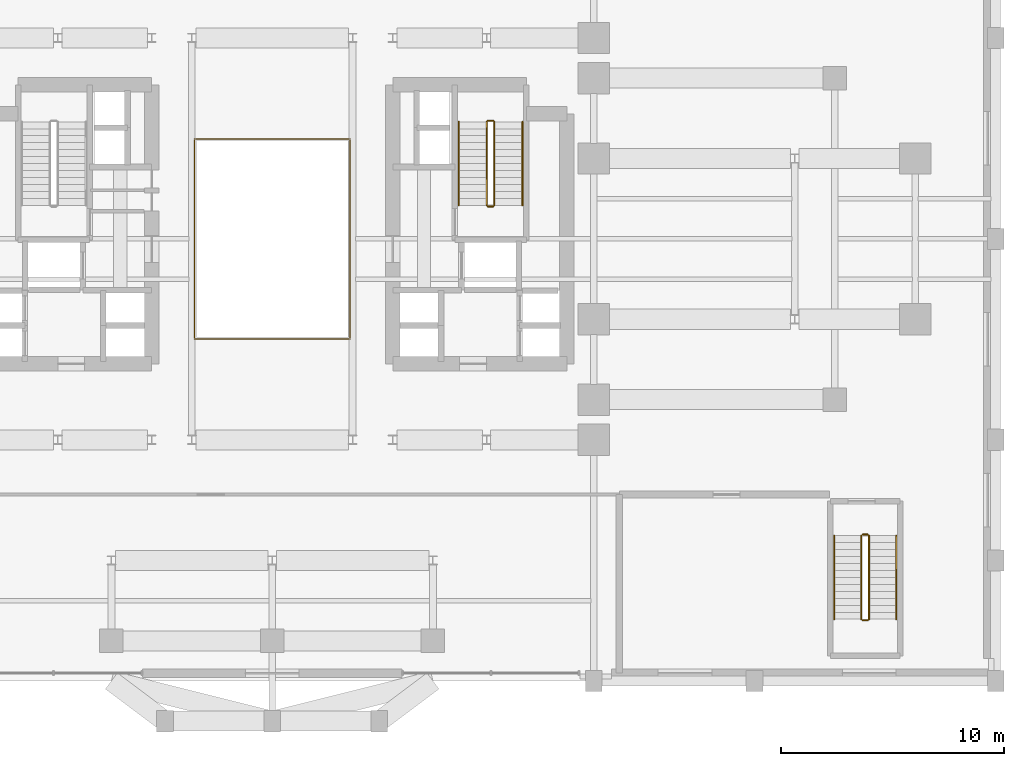
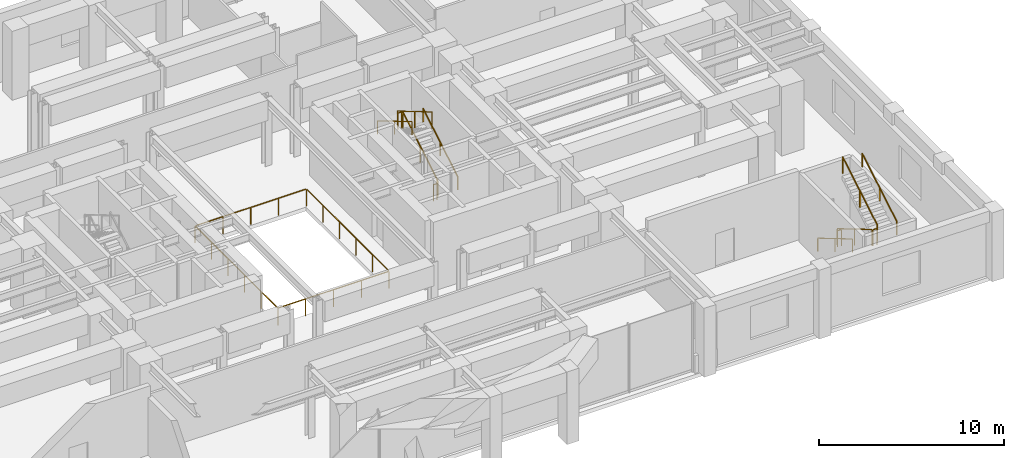
# One storey, part 14 of 14: 13 railings.
"""IFC4 building model written with IfcOpenShell, lengths in metres."""

from ifc_helpers import new_model, si_unit, direction, frame, origin, origin_2d, place, context, subcontext, project, spatial, rectangle, extrude, material, type_object, element, save


model = new_model("IFC4")

# Units and contexts
model_context = context("Model", 3, precision=1e-05, world=origin(), true_north=direction((0.0, 1.0)))
body_context = subcontext(model_context, "Body", "Model", "MODEL_VIEW")
ifc_project = project(units=[si_unit("LENGTHUNIT", "METRE"), si_unit("AREAUNIT", "SQUARE_METRE"), si_unit("VOLUMEUNIT", "CUBIC_METRE"), si_unit("PLANEANGLEUNIT", "RADIAN"), si_unit("MASSUNIT", "GRAM", prefix="KILO")], contexts=[model_context])

# Site, building, storey
site_placement = place(None, origin())
site = spatial("IfcSite", under=ifc_project, at=site_placement, CompositionType="ELEMENT")
building_placement = place(site_placement, origin())
building = spatial("IfcBuilding", under=site, at=building_placement, Name="Keilestroom Media Tower", CompositionType="ELEMENT")
storey_placement = place(building_placement, frame((0.0, 0.0, 15.60009765625)))
storey = spatial("IfcBuildingStorey", under=building, at=storey_placement, Name="L03", CompositionType="ELEMENT", Elevation=15.60009765625)

# Railings
ifc_material_1 = material(Name="Laminated Safety Glass & Bronze Steel", Category="steel")
railing_type_1 = type_object("IfcRailingType", Name="Atrium-Void-Guard-Balustrade-1150", PredefinedType="BALUSTRADE", material=ifc_material_1)
railing_1_placement = place(storey_placement, frame((-3.47998046875, -4.47998046875, 0.0)))
element("IfcRailing", 1, at=railing_1_placement, inside=storey, type_object=railing_type_1, Name="L03 Central Atrium Void Balustrade", PredefinedType="BALUSTRADE", context=body_context, shape_type="SweptSolid", body=[
    extrude(rectangle(XDim=0.048095703125, YDim=0.048095703125, at=origin_2d()), frame((0.0, 0.0, 1.1259765625), z_axis=(1.0, 0.0, 0.0), x_axis=(0.0, 1.0, 0.0)), (0.0, 0.0, 1.0), 6.911865234375),
    extrude(rectangle(XDim=0.048095703125, YDim=0.048095703125, at=origin_2d()), frame((6.9599609375, 0.048095703125, 1.1259765625), z_axis=(0.0, 1.0, 0.0), x_axis=(-1.0, 0.0, 0.0)), (0.0, 0.0, 1.0), 8.86376953125),
    extrude(rectangle(XDim=0.048095703125, YDim=0.048095703125, at=origin_2d()), frame((6.911865234375, 8.9599609375, 1.1259765625), z_axis=(-1.0, 0.0, 0.0), x_axis=(0.0, -1.0, 0.0)), (0.0, 0.0, 1.0), 6.86376953125),
    extrude(rectangle(XDim=0.048095703125, YDim=0.048095703125, at=origin_2d()), frame((0.0, 8.911865234375, 1.1259765625), z_axis=(0.0, -1.0, 0.0), x_axis=(1.0, 0.0, 0.0)), (0.0, 0.0, 1.0), 8.86376953125),
    extrude(rectangle(XDim=0.0419921875, YDim=0.0419921875, at=origin_2d()), origin(), (0.0, 0.0, 1.0), 1.09375),
    extrude(rectangle(XDim=0.0419921875, YDim=0.0419921875, at=origin_2d()), frame((1.739990234375, 0.0, 0.0)), (0.0, 0.0, 1.0), 1.09375),
    extrude(rectangle(XDim=0.0419921875, YDim=0.0419921875, at=origin_2d()), frame((3.47998046875, 0.0, 0.0)), (0.0, 0.0, 1.0), 1.09375),
    extrude(rectangle(XDim=0.0419921875, YDim=0.0419921875, at=origin_2d()), frame((5.219970703125, 0.0, 0.0)), (0.0, 0.0, 1.0), 1.09375),
    extrude(rectangle(XDim=0.0419921875, YDim=0.0419921875, at=origin_2d()), frame((6.9599609375, 0.0, 0.0)), (0.0, 0.0, 1.0), 1.09375),
    extrude(rectangle(XDim=0.0419921875, YDim=0.0419921875, at=origin_2d()), frame((6.9599609375, 1.7919921875, 0.0)), (0.0, 0.0, 1.0), 1.09375),
    extrude(rectangle(XDim=0.0419921875, YDim=0.0419921875, at=origin_2d()), frame((6.9599609375, 3.583984375, 0.0)), (0.0, 0.0, 1.0), 1.09375),
    extrude(rectangle(XDim=0.0419921875, YDim=0.0419921875, at=origin_2d()), frame((6.9599609375, 5.3759765625, 0.0)), (0.0, 0.0, 1.0), 1.09375),
    extrude(rectangle(XDim=0.0419921875, YDim=0.0419921875, at=origin_2d()), frame((6.9599609375, 7.16796875, 0.0)), (0.0, 0.0, 1.0), 1.09375),
    extrude(rectangle(XDim=0.0419921875, YDim=0.0419921875, at=origin_2d()), frame((6.9599609375, 8.9599609375, 0.0)), (0.0, 0.0, 1.0), 1.09375),
    extrude(rectangle(XDim=0.0419921875, YDim=0.0419921875, at=origin_2d()), frame((5.219970703125, 8.9599609375, 0.0)), (0.0, 0.0, 1.0), 1.09375),
    extrude(rectangle(XDim=0.0419921875, YDim=0.0419921875, at=origin_2d()), frame((3.47998046875, 8.9599609375, 0.0)), (0.0, 0.0, 1.0), 1.09375),
    extrude(rectangle(XDim=0.0419921875, YDim=0.0419921875, at=origin_2d()), frame((1.739990234375, 8.9599609375, 0.0)), (0.0, 0.0, 1.0), 1.09375),
    extrude(rectangle(XDim=0.0419921875, YDim=0.0419921875, at=origin_2d()), frame((0.0, 8.9599609375, 0.0)), (0.0, 0.0, 1.0), 1.09375),
    extrude(rectangle(XDim=0.0419921875, YDim=0.0419921875, at=origin_2d()), frame((0.0, 7.16796875, 0.0)), (0.0, 0.0, 1.0), 1.09375),
    extrude(rectangle(XDim=0.0419921875, YDim=0.0419921875, at=origin_2d()), frame((0.0, 5.3759765625, 0.0)), (0.0, 0.0, 1.0), 1.09375),
    extrude(rectangle(XDim=0.0419921875, YDim=0.0419921875, at=origin_2d()), frame((0.0, 3.583984375, 0.0)), (0.0, 0.0, 1.0), 1.09375),
    extrude(rectangle(XDim=0.0419921875, YDim=0.0419921875, at=origin_2d()), frame((0.0, 1.7919921875, 0.0)), (0.0, 0.0, 1.0), 1.09375),
])
ifc_material_2 = material(Name="Brushed Stainless Steel 1.4301", Category="steel")
railing_type_2 = type_object("IfcRailingType", Name="Stair-Pitch-Handrail-920", PredefinedType="HANDRAIL", material=ifc_material_2)
railing_2_placement = place(storey_placement, frame((11.2099609375, 1.5, 0.1845703125)))
element("IfcRailing", 2, at=railing_2_placement, inside=storey, type_object=railing_type_2, Name="L03 ST-2 stair handrail 1", PredefinedType="HANDRAIL", context=body_context, shape_type="SweptSolid", body=[
    extrude(rectangle(XDim=0.048095703125, YDim=0.048095703125, at=origin_2d()), frame((0.0, 0.0, 0.8759765625), z_axis=(0.0, 0.860621358501, 0.509245399872), x_axis=(-1.0, 0.0, 0.0)), (0.0, 0.0, 1.0), 4.350341796875),
    extrude(rectangle(XDim=0.0419921875, YDim=0.0419921875, at=origin_2d()), origin(), (0.0, 0.0, 1.0), 0.84375),
    extrude(rectangle(XDim=0.0419921875, YDim=0.0419921875, at=origin_2d()), frame((0.0, 1.8720703125, 1.107666015625)), (0.0, 0.0, 1.0), 0.84375),
    extrude(rectangle(XDim=0.0419921875, YDim=0.0419921875, at=origin_2d()), frame((0.0, 3.743896484375, 2.21533203125)), (0.0, 0.0, 1.0), 0.84375),
])
for number, where, name in (
    (3, (8.35009765625, 5.243896484375, 2.58447265625), "L03 ST-2 stair handrail 2"),
    (4, (25.169921875, -13.2900390625, 0.1845703125), "L03 ST-4 stair handrail 1"),
):
    element("IfcRailing", number, at=place(storey_placement, frame(where)), inside=storey, type_object=railing_type_2, Name=name, PredefinedType="HANDRAIL", context=body_context, shape_type="SweptSolid", body=[
        extrude(rectangle(XDim=0.048095703125, YDim=0.048095703125, at=origin_2d()), frame((0.0, 0.0, 0.8759765625), z_axis=(0.0, -0.860621358501, 0.509245399872), x_axis=(1.0, 0.0, 0.0)), (0.0, 0.0, 1.0), 4.350341796875),
        extrude(rectangle(XDim=0.0419921875, YDim=0.0419921875, at=origin_2d()), origin(), (0.0, 0.0, 1.0), 0.84375),
        extrude(rectangle(XDim=0.0419921875, YDim=0.0419921875, at=origin_2d()), frame((0.0, -1.8720703125, 1.107666015625)), (0.0, 0.0, 1.0), 0.84375),
        extrude(rectangle(XDim=0.0419921875, YDim=0.0419921875, at=origin_2d()), frame((0.0, -3.743896484375, 2.21533203125)), (0.0, 0.0, 1.0), 0.84375),
    ])
railing_3_placement = place(storey_placement, frame((27.949951171875, -17.033935546875, 2.58447265625)))
element("IfcRailing", 5, at=railing_3_placement, inside=storey, type_object=railing_type_2, Name="L03 ST-4 stair handrail 2", PredefinedType="HANDRAIL", context=body_context, shape_type="SweptSolid", body=[
    extrude(rectangle(XDim=0.048095703125, YDim=0.048095703125, at=origin_2d()), frame((0.0, 0.0, 0.8759765625), z_axis=(0.0, 0.860621358501, 0.509245399872), x_axis=(-1.0, 0.0, 0.0)), (0.0, 0.0, 1.0), 4.350341796875),
    extrude(rectangle(XDim=0.0419921875, YDim=0.0419921875, at=origin_2d()), origin(), (0.0, 0.0, 1.0), 0.84375),
    extrude(rectangle(XDim=0.0419921875, YDim=0.0419921875, at=origin_2d()), frame((0.0, 1.8720703125, 1.107666015625)), (0.0, 0.0, 1.0), 0.84375),
    extrude(rectangle(XDim=0.0419921875, YDim=0.0419921875, at=origin_2d()), frame((0.0, 3.743896484375, 2.21533203125)), (0.0, 0.0, 1.0), 0.84375),
])
ifc_material_3 = material(Name="Painted Steel Balustrade", Category="steel")
railing_type_3 = type_object("IfcRailingType", Name="Stair-Well-And-Landing-Guard-1100", PredefinedType="GUARDRAIL", material=ifc_material_3)
railing_4_placement = place(storey_placement, frame((9.949951171875, 1.5, 0.1845703125)))
element("IfcRailing", 6, at=railing_4_placement, inside=storey, type_object=railing_type_3, Name="L03 ST-2 stair guard 1", PredefinedType="GUARDRAIL", context=body_context, shape_type="SweptSolid", body=[
    extrude(rectangle(XDim=0.048095703125, YDim=0.048095703125, at=origin_2d()), frame((0.0, 0.0, 1.076171875), z_axis=(0.0, 0.860621358501, 0.509245399872), x_axis=(-1.0, 0.0, 0.0)), (0.0, 0.0, 1.0), 4.350341796875),
    extrude(rectangle(XDim=0.0419921875, YDim=0.0419921875, at=origin_2d()), origin(), (0.0, 0.0, 1.0), 1.0439453125),
    extrude(rectangle(XDim=0.0419921875, YDim=0.0419921875, at=origin_2d()), frame((0.0, 1.8720703125, 1.107666015625)), (0.0, 0.0, 1.0), 1.0439453125),
    extrude(rectangle(XDim=0.0419921875, YDim=0.0419921875, at=origin_2d()), frame((0.0, 3.743896484375, 2.21533203125)), (0.0, 0.0, 1.0), 1.0439453125),
])
railing_5_placement = place(storey_placement, frame((9.89990234375, 5.2939453125, 2.39990234375)))
element("IfcRailing", 7, at=railing_5_placement, inside=storey, type_object=railing_type_3, Name="L03 ST-2 stair guard 2", PredefinedType="GUARDRAIL", context=body_context, shape_type="SweptSolid", body=[
    extrude(rectangle(XDim=0.048095703125, YDim=0.048095703125, at=origin_2d()), frame((0.0, 0.0, 1.076171875), z_axis=(-1.0, 0.0, 0.0), x_axis=(0.0, -1.0, 0.0)), (0.0, 0.0, 1.0), 0.239990234375),
    extrude(rectangle(XDim=0.0419921875, YDim=0.0419921875, at=origin_2d()), origin(), (0.0, 0.0, 1.0), 1.0439453125),
    extrude(rectangle(XDim=0.0419921875, YDim=0.0419921875, at=origin_2d()), frame((-0.239990234375, 0.0, 0.0)), (0.0, 0.0, 1.0), 1.0439453125),
])
railing_6_placement = place(storey_placement, frame((9.610107421875, 5.243896484375, 2.58447265625)))
element("IfcRailing", 8, at=railing_6_placement, inside=storey, type_object=railing_type_3, Name="L03 ST-2 stair guard 3", PredefinedType="GUARDRAIL", context=body_context, shape_type="SweptSolid", body=[
    extrude(rectangle(XDim=0.048095703125, YDim=0.048095703125, at=origin_2d()), frame((0.0, 0.0, 1.076171875), z_axis=(0.0, -0.860621358501, 0.509245399872), x_axis=(1.0, 0.0, 0.0)), (0.0, 0.0, 1.0), 4.350341796875),
    extrude(rectangle(XDim=0.0419921875, YDim=0.0419921875, at=origin_2d()), origin(), (0.0, 0.0, 1.0), 1.0439453125),
    extrude(rectangle(XDim=0.0419921875, YDim=0.0419921875, at=origin_2d()), frame((0.0, -1.8720703125, 1.107666015625)), (0.0, 0.0, 1.0), 1.0439453125),
    extrude(rectangle(XDim=0.0419921875, YDim=0.0419921875, at=origin_2d()), frame((0.0, -3.743896484375, 2.21533203125)), (0.0, 0.0, 1.0), 1.0439453125),
])
railing_7_placement = place(storey_placement, frame((9.89990234375, 1.449951171875, 0.0)))
element("IfcRailing", 9, at=railing_7_placement, inside=storey, type_object=railing_type_3, Name="L03 ST-2 stair guard 4", PredefinedType="GUARDRAIL", context=body_context, shape_type="SweptSolid", body=[
    extrude(rectangle(XDim=0.048095703125, YDim=0.048095703125, at=origin_2d()), frame((0.0, 0.0, 1.076171875), z_axis=(-1.0, 0.0, 0.0), x_axis=(0.0, -1.0, 0.0)), (0.0, 0.0, 1.0), 0.239990234375),
    extrude(rectangle(XDim=0.0419921875, YDim=0.0419921875, at=origin_2d()), origin(), (0.0, 0.0, 1.0), 1.0439453125),
    extrude(rectangle(XDim=0.0419921875, YDim=0.0419921875, at=origin_2d()), frame((-0.239990234375, 0.0, 0.0)), (0.0, 0.0, 1.0), 1.0439453125),
])
railing_8_placement = place(storey_placement, frame((26.389892578125, -13.2900390625, 0.1845703125)))
element("IfcRailing", 10, at=railing_8_placement, inside=storey, type_object=railing_type_3, Name="L03 ST-4 stair guard 1", PredefinedType="GUARDRAIL", context=body_context, shape_type="SweptSolid", body=[
    extrude(rectangle(XDim=0.048095703125, YDim=0.048095703125, at=origin_2d()), frame((0.0, 0.0, 1.076171875), z_axis=(0.0, -0.860621358501, 0.509245399872), x_axis=(1.0, 0.0, 0.0)), (0.0, 0.0, 1.0), 4.350341796875),
    extrude(rectangle(XDim=0.0419921875, YDim=0.0419921875, at=origin_2d()), origin(), (0.0, 0.0, 1.0), 1.0439453125),
    extrude(rectangle(XDim=0.0419921875, YDim=0.0419921875, at=origin_2d()), frame((0.0, -1.8720703125, 1.107666015625)), (0.0, 0.0, 1.0), 1.0439453125),
    extrude(rectangle(XDim=0.0419921875, YDim=0.0419921875, at=origin_2d()), frame((0.0, -3.743896484375, 2.21533203125)), (0.0, 0.0, 1.0), 1.0439453125),
])
railing_9_placement = place(storey_placement, frame((26.43994140625, -17.083984375, 2.39990234375)))
element("IfcRailing", 11, at=railing_9_placement, inside=storey, type_object=railing_type_3, Name="L03 ST-4 stair guard 2", PredefinedType="GUARDRAIL", context=body_context, shape_type="SweptSolid", body=[
    extrude(rectangle(XDim=0.048095703125, YDim=0.048095703125, at=origin_2d()), frame((0.0, 0.0, 1.076171875), z_axis=(1.0, 0.0, 0.0), x_axis=(0.0, 1.0, 0.0)), (0.0, 0.0, 1.0), 0.239990234375),
    extrude(rectangle(XDim=0.0419921875, YDim=0.0419921875, at=origin_2d()), origin(), (0.0, 0.0, 1.0), 1.0439453125),
    extrude(rectangle(XDim=0.0419921875, YDim=0.0419921875, at=origin_2d()), frame((0.239990234375, 0.0, 0.0)), (0.0, 0.0, 1.0), 1.0439453125),
])
railing_10_placement = place(storey_placement, frame((26.72998046875, -17.033935546875, 2.58447265625)))
element("IfcRailing", 12, at=railing_10_placement, inside=storey, type_object=railing_type_3, Name="L03 ST-4 stair guard 3", PredefinedType="GUARDRAIL", context=body_context, shape_type="SweptSolid", body=[
    extrude(rectangle(XDim=0.048095703125, YDim=0.048095703125, at=origin_2d()), frame((0.0, 0.0, 1.076171875), z_axis=(0.0, 0.860621358501, 0.509245399872), x_axis=(-1.0, 0.0, 0.0)), (0.0, 0.0, 1.0), 4.350341796875),
    extrude(rectangle(XDim=0.0419921875, YDim=0.0419921875, at=origin_2d()), origin(), (0.0, 0.0, 1.0), 1.0439453125),
    extrude(rectangle(XDim=0.0419921875, YDim=0.0419921875, at=origin_2d()), frame((0.0, 1.8720703125, 1.107666015625)), (0.0, 0.0, 1.0), 1.0439453125),
    extrude(rectangle(XDim=0.0419921875, YDim=0.0419921875, at=origin_2d()), frame((0.0, 3.743896484375, 2.21533203125)), (0.0, 0.0, 1.0), 1.0439453125),
])
railing_11_placement = place(storey_placement, frame((26.43994140625, -13.239990234375, 0.0)))
element("IfcRailing", 13, at=railing_11_placement, inside=storey, type_object=railing_type_3, Name="L03 ST-4 stair guard 4", PredefinedType="GUARDRAIL", context=body_context, shape_type="SweptSolid", body=[
    extrude(rectangle(XDim=0.048095703125, YDim=0.048095703125, at=origin_2d()), frame((0.0, 0.0, 1.076171875), z_axis=(1.0, 0.0, 0.0), x_axis=(0.0, 1.0, 0.0)), (0.0, 0.0, 1.0), 0.239990234375),
    extrude(rectangle(XDim=0.0419921875, YDim=0.0419921875, at=origin_2d()), origin(), (0.0, 0.0, 1.0), 1.0439453125),
    extrude(rectangle(XDim=0.0419921875, YDim=0.0419921875, at=origin_2d()), frame((0.239990234375, 0.0, 0.0)), (0.0, 0.0, 1.0), 1.0439453125),
])

save(model, "model.ifc")
